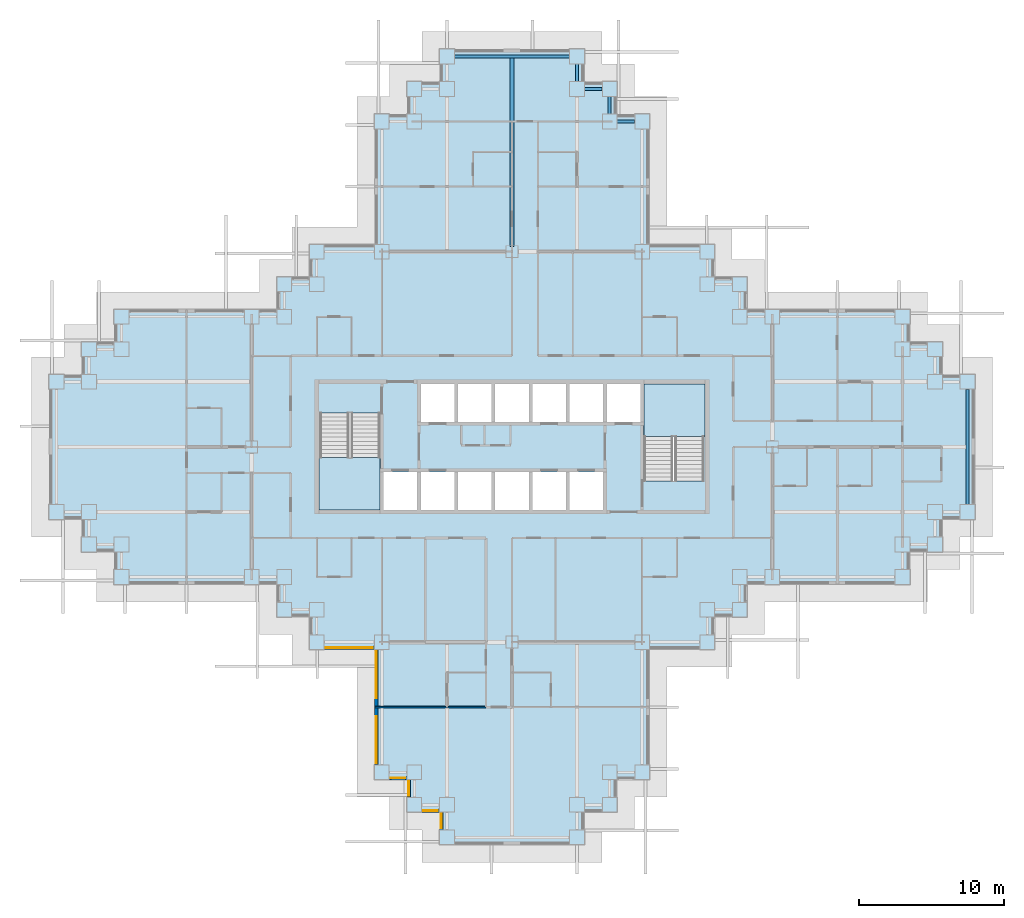
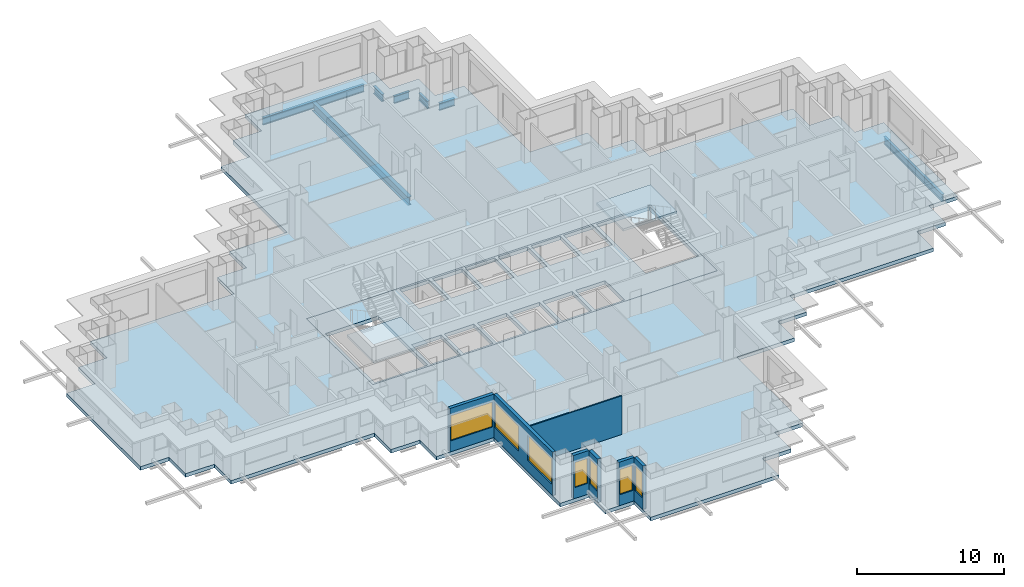
# One storey, part 2 of 15: 7 beams, 7 walls, 7 windows, 4 slabs, 7 openings, 2 elements without a shape of their own.
"""IFC4 building model written with IfcOpenShell, lengths in metres."""

from ifc_helpers import new_model, si_unit, direction, frame, frame_2d, origin, origin_2d, place, context, subcontext, project, spatial, polyline, rectangle, i_section, outline, extrude, material, layer, layer_set, material_profile, profile_set, type_object, element, fill, aggregate, save


model = new_model("IFC4")

# Units and contexts
model_context = context("Model", 3, precision=1e-05, world=origin(), true_north=direction((0.0, 1.0)))
body_context = subcontext(model_context, "Body", "Model", "MODEL_VIEW")
ifc_project = project(units=[si_unit("LENGTHUNIT", "METRE"), si_unit("AREAUNIT", "SQUARE_METRE"), si_unit("VOLUMEUNIT", "CUBIC_METRE"), si_unit("PLANEANGLEUNIT", "RADIAN"), si_unit("MASSUNIT", "GRAM", prefix="KILO")], contexts=[model_context])

# Site, building, storey
site_placement = place(None, origin())
site = spatial("IfcSite", under=ifc_project, at=site_placement, CompositionType="ELEMENT")
building_placement = place(site_placement, origin())
building = spatial("IfcBuilding", under=site, at=building_placement, Name="Caravel Reach Hotel and Residences", CompositionType="ELEMENT")
storey_placement = place(building_placement, frame((0.0, 0.0, 44.39990234375)))
storey = spatial("IfcBuildingStorey", under=building, at=storey_placement, Name="L09", CompositionType="ELEMENT", Elevation=44.39990234375)

# Beams
ifc_material_1 = material(Name="Structural steel Q355B", Category="steel")
ifc_material_profile_1 = material_profile(ifc_material_1, i_section(OverallWidth=0.300048828125, OverallDepth=0.699951171875, WebThickness=0.012939453125, FlangeThickness=0.02392578125, FilletRadius=0.01806640625, at=origin_2d()), Name="HN 700x300x13x24")
ifc_profile_set_1 = profile_set([ifc_material_profile_1], Name="Structural steel Q355B")
beam_type_1 = type_object("IfcBeamType", Name="Beam HN 700x300x13x24", PredefinedType="BEAM", material=ifc_profile_set_1)
beam_1_placement = place(storey_placement, frame((31.5, 40.875, -0.64990234375), z_axis=(0.0, 1.0, 0.0), x_axis=(-1.0, 0.0, 0.0)))
element("IfcBeam", 1, at=beam_1_placement, inside=storey, type_object=beam_type_1, Name="B2 HN 700x300x13x24", PredefinedType="BEAM", context=body_context, shape_type="SweptSolid", body=[
    extrude(i_section(OverallWidth=0.300048828125, OverallDepth=0.699951171875, WebThickness=0.012939453125, FlangeThickness=0.02392578125, FilletRadius=0.01806640625, at=origin_2d()), origin(), (0.0, 0.0, 1.0), 13.02490234375),
])
ifc_material_2 = material(Name="Structural steel Q355B", Category="steel")
ifc_material_profile_2 = material_profile(ifc_material_2, i_section(OverallWidth=0.199951171875, OverallDepth=0.60009765625, WebThickness=0.010986328125, FlangeThickness=0.01708984375, FilletRadius=0.012939453125, at=origin_2d()), Name="HN 600x200x11x17")
ifc_profile_set_2 = profile_set([ifc_material_profile_2], Name="Structural steel Q355B")
beam_type_2 = type_object("IfcBeamType", Name="Spandrel beam HN 600x200x11x17", PredefinedType="SPANDREL", material=ifc_profile_set_2)
beam_2_placement = place(storey_placement, frame((63.0, 23.02490234375, -0.599853515625), z_axis=(0.0, 1.0, 0.0), x_axis=(-1.0, 0.0, 0.0)))
element("IfcBeam", 2, at=beam_2_placement, inside=storey, type_object=beam_type_2, Name="SP1 HN 600x200x11x17", PredefinedType="SPANDREL", context=body_context, shape_type="SweptSolid", body=[
    extrude(i_section(OverallWidth=0.199951171875, OverallDepth=0.60009765625, WebThickness=0.010986328125, FlangeThickness=0.01708984375, FilletRadius=0.012939453125, at=origin_2d()), origin(), (0.0, 0.0, 1.0), 7.9501953125),
])
for number, where, z_axis, x_axis, name in (
    (3, (39.97509765625, 49.5, -0.599853515625), (-1.0, 0.0, 0.0), (0.0, -1.0, 0.0), "SP1 HN 600x200x11x17"),
    (4, (38.25, 50.02490234375, -0.599853515625), (0.0, 1.0, 0.0), (-1.0, 0.0, 0.0), "SP1 HN 600x200x11x17"),
    (5, (37.72509765625, 51.75, -0.599853515625), (-1.0, 0.0, 0.0), (0.0, -1.0, 0.0), "SP1 HN 600x200x11x17"),
    (6, (36.0, 52.27490234375, -0.599853515625), (0.0, 1.0, 0.0), (-1.0, 0.0, 0.0), "SP1 HN 600x200x11x17"),
):
    element("IfcBeam", number, at=place(storey_placement, frame(where, z_axis=z_axis, x_axis=x_axis)), inside=storey, type_object=beam_type_2, Name=name, PredefinedType="SPANDREL", context=body_context, shape_type="SweptSolid", body=[
        extrude(i_section(OverallWidth=0.199951171875, OverallDepth=0.60009765625, WebThickness=0.010986328125, FlangeThickness=0.01708984375, FilletRadius=0.012939453125, at=origin_2d()), origin(), (0.0, 0.0, 1.0), 1.2001953125),
    ])
beam_3_placement = place(storey_placement, frame((35.47509765625, 54.0, -0.599853515625), z_axis=(-1.0, 0.0, 0.0), x_axis=(0.0, -1.0, 0.0)))
element("IfcBeam", 7, at=beam_3_placement, inside=storey, type_object=beam_type_2, Name="SP1 HN 600x200x11x17", PredefinedType="SPANDREL", context=body_context, shape_type="SweptSolid", body=[
    extrude(i_section(OverallWidth=0.199951171875, OverallDepth=0.60009765625, WebThickness=0.010986328125, FlangeThickness=0.01708984375, FilletRadius=0.012939453125, at=origin_2d()), origin(), (0.0, 0.0, 1.0), 7.9501953125),
])

# Slab
ifc_material_3 = material(Name="Concrete C40", Category="concrete")
ifc_layer_1 = layer(ifc_material_3, 0.300048828125)
ifc_layer_set_1 = layer_set([ifc_layer_1], Name="Core floor slab 300 mm")
slab_type_1 = type_object("IfcSlabType", Name="Core floor slab 300 mm", PredefinedType="FLOOR", material=ifc_layer_set_1)
slab_1_placement = place(storey_placement, frame((0.0, 0.0, -0.2998046875)))
element("IfcSlab", 8, at=slab_1_placement, inside=storey, type_object=slab_type_1, Name="L09 core floor", PredefinedType="FLOOR", context=body_context, shape_type="SweptSolid", body=[
    extrude(outline(polyline([(18.0, 31.5), (45.0, 31.5), (45.0, 22.5), (18.0, 22.5), (18.0, 31.5)]), holes=[polyline([(22.625, 25.27490234375), (22.625, 22.64990234375), (24.9462890625, 22.64990234375), (24.9462890625, 25.27490234375), (22.625, 25.27490234375)]), polyline([(27.517822265625, 25.27490234375), (25.1962890625, 25.27490234375), (25.1962890625, 22.64990234375), (27.517822265625, 22.64990234375), (27.517822265625, 25.27490234375)]), polyline([(30.08935546875, 25.27490234375), (27.767822265625, 25.27490234375), (27.767822265625, 22.64990234375), (30.08935546875, 22.64990234375), (30.08935546875, 25.27490234375)]), polyline([(32.66064453125, 25.27490234375), (30.33935546875, 25.27490234375), (30.33935546875, 22.64990234375), (32.66064453125, 22.64990234375), (32.66064453125, 25.27490234375)]), polyline([(18.22509765625, 22.64990234375), (22.375, 22.64990234375), (22.375, 29.35009765625), (18.22509765625, 29.35009765625), (18.22509765625, 22.64990234375)]), polyline([(27.517822265625, 31.35009765625), (25.1962890625, 31.35009765625), (25.1962890625, 28.72509765625), (27.517822265625, 28.72509765625), (27.517822265625, 31.35009765625)]), polyline([(30.08935546875, 31.35009765625), (27.767822265625, 31.35009765625), (27.767822265625, 28.72509765625), (30.08935546875, 28.72509765625), (30.08935546875, 31.35009765625)]), polyline([(32.91064453125, 25.27490234375), (32.91064453125, 22.64990234375), (35.232177734375, 22.64990234375), (35.232177734375, 25.27490234375), (32.91064453125, 25.27490234375)]), polyline([(37.8037109375, 25.27490234375), (35.482177734375, 25.27490234375), (35.482177734375, 22.64990234375), (37.8037109375, 22.64990234375), (37.8037109375, 25.27490234375)]), polyline([(44.77490234375, 31.35009765625), (40.625, 31.35009765625), (40.625, 24.64990234375), (44.77490234375, 24.64990234375), (44.77490234375, 31.35009765625)]), polyline([(32.66064453125, 31.35009765625), (30.33935546875, 31.35009765625), (30.33935546875, 28.72509765625), (32.66064453125, 28.72509765625), (32.66064453125, 31.35009765625)]), polyline([(35.232177734375, 31.35009765625), (32.91064453125, 31.35009765625), (32.91064453125, 28.72509765625), (35.232177734375, 28.72509765625), (35.232177734375, 31.35009765625)]), polyline([(37.8037109375, 31.35009765625), (35.482177734375, 31.35009765625), (35.482177734375, 28.72509765625), (37.8037109375, 28.72509765625), (37.8037109375, 31.35009765625)]), polyline([(40.375, 31.35009765625), (38.0537109375, 31.35009765625), (38.0537109375, 28.72509765625), (40.375, 28.72509765625), (40.375, 31.35009765625)])]), origin(), (0.0, 0.0, 1.0), 0.2998046875),
])

# Stair, slab
ifc_material_4 = material(Name="Concrete C40", Category="concrete")
stair_type = type_object("IfcStairType", Name="Core stair", PredefinedType="HALF_TURN_STAIR", material=ifc_material_4)
stair_1_placement = place(storey_placement, origin())
stair_1 = element("IfcStair", 9, at=stair_1_placement, inside=storey, type_object=stair_type, Name="L09 Exit stair A", PredefinedType="HALF_TURN_STAIR")
ifc_material_5 = material(Name="Concrete C40", Category="concrete")
ifc_layer_2 = layer(ifc_material_5, 0.199951171875)
ifc_layer_set_2 = layer_set([ifc_layer_2], Name="Core stair landing")
slab_type_2 = type_object("IfcSlabType", Name="Core stair landing", PredefinedType="LANDING", material=ifc_layer_set_2)
slab_2_placement = place(storey_placement, frame((0.0, 0.0, 1.60009765625)))
slab_2 = element("IfcSlab", 10, at=slab_2_placement, type_object=slab_type_2, Name="ST-A landing 1", PredefinedType="LANDING", context=body_context, shape_type="SweptSolid", body=[
    extrude(outline(polyline([(18.14990234375, 26.27001953125), (18.14990234375, 22.64990234375), (22.375, 22.64990234375), (22.375, 26.27001953125), (18.14990234375, 26.27001953125)])), origin(), (0.0, 0.0, 1.0), 0.199951171875),
])
aggregate(stair_1, [slab_2])

stair_2_placement = place(storey_placement, origin())
stair_2 = element("IfcStair", 11, at=stair_2_placement, inside=storey, type_object=stair_type, Name="L09 Exit stair B", PredefinedType="HALF_TURN_STAIR")
slab_3_placement = place(storey_placement, frame((0.0, 0.0, 1.60009765625)))
slab_3 = element("IfcSlab", 12, at=slab_3_placement, type_object=slab_type_2, Name="ST-B landing 1", PredefinedType="LANDING", context=body_context, shape_type="SweptSolid", body=[
    extrude(outline(polyline([(44.85009765625, 27.72998046875), (44.85009765625, 31.35009765625), (40.625, 31.35009765625), (40.625, 27.72998046875), (44.85009765625, 27.72998046875)])), origin(), (0.0, 0.0, 1.0), 0.199951171875),
])
aggregate(stair_2, [slab_3])

# Slab
ifc_material_6 = material(Name="Concrete C40 post-tensioned", Category="concrete")
ifc_layer_3 = layer(ifc_material_6, 0.300048828125)
ifc_layer_set_3 = layer_set([ifc_layer_3], Name="Floor slab 300")
slab_type_3 = type_object("IfcSlabType", Name="Floor slab 300", PredefinedType="FLOOR", material=ifc_layer_set_3)
slab_4_placement = place(storey_placement, frame((0.0, 0.0, -0.2998046875)))
element("IfcSlab", 13, at=slab_4_placement, inside=storey, type_object=slab_type_3, Name="S2 slab L09", PredefinedType="FLOOR", context=body_context, shape_type="SweptSolid", body=[
    extrude(outline(polyline([(17.47509765625, 12.97509765625), (17.47509765625, 15.22509765625), (15.22509765625, 15.22509765625), (15.22509765625, 17.47509765625), (3.97509765625, 17.47509765625), (3.97509765625, 19.72509765625), (1.72509765625, 19.72509765625), (1.72509765625, 21.97509765625), (-0.52490234375, 21.97509765625), (-0.52490234375, 32.02490234375), (1.72509765625, 32.02490234375), (1.72509765625, 34.27490234375), (3.97509765625, 34.27490234375), (3.97509765625, 36.52490234375), (15.22509765625, 36.52490234375), (15.22509765625, 38.77490234375), (17.47509765625, 38.77490234375), (17.47509765625, 41.02490234375), (21.97509765625, 41.02490234375), (21.97509765625, 50.02490234375), (24.22509765625, 50.02490234375), (24.22509765625, 52.27490234375), (26.47509765625, 52.27490234375), (26.47509765625, 54.52490234375), (36.52490234375, 54.52490234375), (36.52490234375, 52.27490234375), (38.77490234375, 52.27490234375), (38.77490234375, 50.02490234375), (41.02490234375, 50.02490234375), (41.02490234375, 41.02490234375), (45.52490234375, 41.02490234375), (45.52490234375, 38.77490234375), (47.77490234375, 38.77490234375), (47.77490234375, 36.52490234375), (59.02490234375, 36.52490234375), (59.02490234375, 34.27490234375), (61.27490234375, 34.27490234375), (61.27490234375, 32.02490234375), (63.52490234375, 32.02490234375), (63.52490234375, 21.97509765625), (61.27490234375, 21.97509765625), (61.27490234375, 19.72509765625), (59.02490234375, 19.72509765625), (59.02490234375, 17.47509765625), (47.77490234375, 17.47509765625), (47.77490234375, 15.22509765625), (45.52490234375, 15.22509765625), (45.52490234375, 12.97509765625), (41.02490234375, 12.97509765625), (41.02490234375, 3.97509765625), (38.77490234375, 3.97509765625), (38.77490234375, 1.72509765625), (36.52490234375, 1.72509765625), (36.52490234375, -0.52490234375), (26.47509765625, -0.52490234375), (26.47509765625, 1.72509765625), (24.22509765625, 1.72509765625), (24.22509765625, 3.97509765625), (21.97509765625, 3.97509765625), (21.97509765625, 12.97509765625), (17.47509765625, 12.97509765625)]), holes=[polyline([(45.0, 31.5), (18.0, 31.5), (18.0, 22.5), (45.0, 22.5), (45.0, 31.5)])]), origin(), (0.0, 0.0, 1.0), 0.2998046875),
])

# Wall, opening, window
ifc_material_7 = material(Name="Insulated rainscreen wall, aluminium cladding", Category="aluminium")
ifc_layer_4 = layer(ifc_material_7, 0.25)
ifc_layer_set_4 = layer_set([ifc_layer_4], Name="EW1 Tower rainscreen wall")
wall_type_1 = type_object("IfcWallType", Name="EW1 Tower rainscreen wall", PredefinedType="SOLIDWALL", material=ifc_layer_set_4)
wall_1_placement = place(storey_placement, frame((23.02490234375, 4.10009765625, 0.0), z_axis=(0.0, 0.0, 1.0), x_axis=(1.0, 0.0, 0.0)))
wall_1 = element("IfcWall", 14, at=wall_1_placement, inside=storey, type_object=wall_type_1, Name="External wall L09 S1.1", PredefinedType="SOLIDWALL", context=body_context, shape_type="SweptSolid", body=[
    extrude(rectangle(XDim=1.2001953125, YDim=0.25, at=frame_2d((0.60009765625, 0.0))), origin(), (0.0, 0.0, 1.0), 3.60009765625),
])
opening_1_placement = place(wall_1_placement, frame((0.10009765625, 0.0, 0.89990234375)))
opening_1 = element("IfcOpeningElement", 15, at=opening_1_placement, cuts=wall_1, Name="Opening WN1", PredefinedType="OPENING", context=body_context, shape_type="SweptSolid", body=[
    extrude(rectangle(XDim=1.0, YDim=2.080078125, at=frame_2d((0.5, 1.0400390625))), frame((0.0, 0.135009765625, 0.0), z_axis=(0.0, -1.0, 0.0), x_axis=(1.0, 0.0, 0.0)), (0.0, 0.0, 1.0), 0.27001953125),
])
ifc_material_8 = material(Name="Dark low-e glazing in black aluminium frame", Category="aluminium")
window_type_1 = type_object("IfcWindowType", Name="Hotel suite corner window 1000 x 2080", PartitioningType="SINGLE_PANEL", PredefinedType="WINDOW", material=ifc_material_8)
window_1_placement = place(opening_1_placement, origin())
window_1 = element("IfcWindow", 16, at=window_1_placement, inside=storey, type_object=window_type_1, Name="Window L09 S1.1.1", OverallHeight=2.080078125, OverallWidth=1.0, PartitioningType="SINGLE_PANEL", PredefinedType="WINDOW", context=body_context, shape_type="SweptSolid", body=[
    extrude(rectangle(XDim=1.0, YDim=2.080078125, at=frame_2d((0.5, 1.0400390625))), frame((0.0, 0.030029296875, 0.0), z_axis=(0.0, -1.0, 0.0), x_axis=(1.0, 0.0, 0.0)), (0.0, 0.0, 1.0), 0.06005859375),
])
fill(opening_1, window_1)

wall_2_placement = place(storey_placement, frame((24.35009765625, 3.97509765625, 0.0), z_axis=(0.0, 0.0, 1.0), x_axis=(0.0, -1.0, 0.0)))
wall_2 = element("IfcWall", 17, at=wall_2_placement, inside=storey, type_object=wall_type_1, Name="External wall L09 W2.1", PredefinedType="SOLIDWALL", context=body_context, shape_type="SweptSolid", body=[
    extrude(rectangle(XDim=1.2001953125, YDim=0.25, at=frame_2d((0.60009765625, 0.0))), origin(), (0.0, 0.0, 1.0), 3.60009765625),
])
opening_2_placement = place(wall_2_placement, frame((0.10009765625, 0.0, 0.89990234375)))
opening_2 = element("IfcOpeningElement", 18, at=opening_2_placement, cuts=wall_2, Name="Opening WN1", PredefinedType="OPENING", context=body_context, shape_type="SweptSolid", body=[
    extrude(rectangle(XDim=1.0, YDim=2.080078125, at=frame_2d((0.5, 1.0400390625))), frame((0.0, 0.135009765625, 0.0), z_axis=(0.0, -1.0, 0.0), x_axis=(1.0, 0.0, 0.0)), (0.0, 0.0, 1.0), 0.27001953125),
])
window_2_placement = place(opening_2_placement, origin())
window_2 = element("IfcWindow", 19, at=window_2_placement, inside=storey, type_object=window_type_1, Name="Window L09 W2.1.1", OverallHeight=2.080078125, OverallWidth=1.0, PartitioningType="SINGLE_PANEL", PredefinedType="WINDOW", context=body_context, shape_type="SweptSolid", body=[
    extrude(rectangle(XDim=1.0, YDim=2.080078125, at=frame_2d((0.5, 1.0400390625))), frame((0.0, 0.030029296875, 0.0), z_axis=(0.0, -1.0, 0.0), x_axis=(1.0, 0.0, 0.0)), (0.0, 0.0, 1.0), 0.06005859375),
])
fill(opening_2, window_2)

wall_3_placement = place(storey_placement, frame((25.27490234375, 1.85009765625, 0.0), z_axis=(0.0, 0.0, 1.0), x_axis=(1.0, 0.0, 0.0)))
wall_3 = element("IfcWall", 20, at=wall_3_placement, inside=storey, type_object=wall_type_1, Name="External wall L09 S3.1", PredefinedType="SOLIDWALL", context=body_context, shape_type="SweptSolid", body=[
    extrude(rectangle(XDim=1.2001953125, YDim=0.25, at=frame_2d((0.60009765625, 0.0))), origin(), (0.0, 0.0, 1.0), 3.60009765625),
])
opening_3_placement = place(wall_3_placement, frame((0.10009765625, 0.0, 0.89990234375)))
opening_3 = element("IfcOpeningElement", 21, at=opening_3_placement, cuts=wall_3, Name="Opening WN1", PredefinedType="OPENING", context=body_context, shape_type="SweptSolid", body=[
    extrude(rectangle(XDim=1.0, YDim=2.080078125, at=frame_2d((0.5, 1.0400390625))), frame((0.0, 0.135009765625, 0.0), z_axis=(0.0, -1.0, 0.0), x_axis=(1.0, 0.0, 0.0)), (0.0, 0.0, 1.0), 0.27001953125),
])
window_3_placement = place(opening_3_placement, origin())
window_3 = element("IfcWindow", 22, at=window_3_placement, inside=storey, type_object=window_type_1, Name="Window L09 S3.1.1", OverallHeight=2.080078125, OverallWidth=1.0, PartitioningType="SINGLE_PANEL", PredefinedType="WINDOW", context=body_context, shape_type="SweptSolid", body=[
    extrude(rectangle(XDim=1.0, YDim=2.080078125, at=frame_2d((0.5, 1.0400390625))), frame((0.0, 0.030029296875, 0.0), z_axis=(0.0, -1.0, 0.0), x_axis=(1.0, 0.0, 0.0)), (0.0, 0.0, 1.0), 0.06005859375),
])
fill(opening_3, window_3)

wall_4_placement = place(storey_placement, frame((26.60009765625, 1.72509765625, 0.0), z_axis=(0.0, 0.0, 1.0), x_axis=(0.0, -1.0, 0.0)))
wall_4 = element("IfcWall", 23, at=wall_4_placement, inside=storey, type_object=wall_type_1, Name="External wall L09 W4.1", PredefinedType="SOLIDWALL", context=body_context, shape_type="SweptSolid", body=[
    extrude(rectangle(XDim=1.2001953125, YDim=0.25, at=frame_2d((0.60009765625, 0.0))), origin(), (0.0, 0.0, 1.0), 3.60009765625),
])
opening_4_placement = place(wall_4_placement, frame((0.10009765625, 0.0, 0.89990234375)))
opening_4 = element("IfcOpeningElement", 24, at=opening_4_placement, cuts=wall_4, Name="Opening WN1", PredefinedType="OPENING", context=body_context, shape_type="SweptSolid", body=[
    extrude(rectangle(XDim=1.0, YDim=2.080078125, at=frame_2d((0.5, 1.0400390625))), frame((0.0, 0.135009765625, 0.0), z_axis=(0.0, -1.0, 0.0), x_axis=(1.0, 0.0, 0.0)), (0.0, 0.0, 1.0), 0.27001953125),
])
window_4_placement = place(opening_4_placement, origin())
window_4 = element("IfcWindow", 25, at=window_4_placement, inside=storey, type_object=window_type_1, Name="Window L09 W4.1.1", OverallHeight=2.080078125, OverallWidth=1.0, PartitioningType="SINGLE_PANEL", PredefinedType="WINDOW", context=body_context, shape_type="SweptSolid", body=[
    extrude(rectangle(XDim=1.0, YDim=2.080078125, at=frame_2d((0.5, 1.0400390625))), frame((0.0, 0.030029296875, 0.0), z_axis=(0.0, -1.0, 0.0), x_axis=(1.0, 0.0, 0.0)), (0.0, 0.0, 1.0), 0.06005859375),
])
fill(opening_4, window_4)

wall_5_placement = place(storey_placement, frame((18.52490234375, 13.10009765625, 0.0), z_axis=(0.0, 0.0, 1.0), x_axis=(1.0, 0.0, 0.0)))
wall_5 = element("IfcWall", 26, at=wall_5_placement, inside=storey, type_object=wall_type_1, Name="External wall L09 S59.1", PredefinedType="SOLIDWALL", context=body_context, shape_type="SweptSolid", body=[
    extrude(rectangle(XDim=3.4501953125, YDim=0.25, at=frame_2d((1.72509765625, 0.0))), origin(), (0.0, 0.0, 1.0), 3.60009765625),
])
opening_5_placement = place(wall_5_placement, frame((0.10009765625, 0.0, 0.89990234375)))
opening_5 = element("IfcOpeningElement", 27, at=opening_5_placement, cuts=wall_5, Name="Opening WN2", PredefinedType="OPENING", context=body_context, shape_type="SweptSolid", body=[
    extrude(rectangle(XDim=3.25, YDim=2.080078125, at=frame_2d((1.625, 1.0400390625))), frame((0.0, 0.135009765625, 0.0), z_axis=(0.0, -1.0, 0.0), x_axis=(1.0, 0.0, 0.0)), (0.0, 0.0, 1.0), 0.27001953125),
])
ifc_material_9 = material(Name="Dark low-e glazing in black aluminium frame", Category="aluminium")
window_type_2 = type_object("IfcWindowType", Name="Hotel guest room window 3250 x 2080", PartitioningType="SINGLE_PANEL", PredefinedType="WINDOW", material=ifc_material_9)
window_5_placement = place(opening_5_placement, origin())
window_5 = element("IfcWindow", 28, at=window_5_placement, inside=storey, type_object=window_type_2, Name="Window L09 S59.1.1", OverallHeight=2.080078125, OverallWidth=3.25, PartitioningType="SINGLE_PANEL", PredefinedType="WINDOW", context=body_context, shape_type="SweptSolid", body=[
    extrude(rectangle(XDim=3.25, YDim=2.080078125, at=frame_2d((1.625, 1.0400390625))), frame((0.0, 0.030029296875, 0.0), z_axis=(0.0, -1.0, 0.0), x_axis=(1.0, 0.0, 0.0)), (0.0, 0.0, 1.0), 0.06005859375),
])
fill(opening_5, window_5)

# Wall, openings, windows
wall_6_placement = place(storey_placement, frame((22.10009765625, 12.97509765625, 0.0), z_axis=(0.0, 0.0, 1.0), x_axis=(0.0, -1.0, 0.0)))
wall_6 = element("IfcWall", 29, at=wall_6_placement, inside=storey, type_object=wall_type_1, Name="External wall L09 W60.1", PredefinedType="SOLIDWALL", context=body_context, shape_type="SweptSolid", body=[
    extrude(rectangle(XDim=7.9501953125, YDim=0.25, at=frame_2d((3.97509765625, 0.0))), origin(), (0.0, 0.0, 1.0), 3.60009765625),
])
opening_6_placement = place(wall_6_placement, frame((0.10009765625, 0.0, 0.89990234375)))
opening_6 = element("IfcOpeningElement", 30, at=opening_6_placement, cuts=wall_6, Name="Opening WN2", PredefinedType="OPENING", context=body_context, shape_type="SweptSolid", body=[
    extrude(rectangle(XDim=3.25, YDim=2.080078125, at=frame_2d((1.625, 1.0400390625))), frame((0.0, 0.135009765625, 0.0), z_axis=(0.0, -1.0, 0.0), x_axis=(1.0, 0.0, 0.0)), (0.0, 0.0, 1.0), 0.27001953125),
])
opening_7_placement = place(wall_6_placement, frame((4.60009765625, 0.0, 0.89990234375)))
opening_7 = element("IfcOpeningElement", 31, at=opening_7_placement, cuts=wall_6, Name="Opening WN2", PredefinedType="OPENING", context=body_context, shape_type="SweptSolid", body=[
    extrude(rectangle(XDim=3.25, YDim=2.080078125, at=frame_2d((1.625, 1.0400390625))), frame((0.0, 0.135009765625, 0.0), z_axis=(0.0, -1.0, 0.0), x_axis=(1.0, 0.0, 0.0)), (0.0, 0.0, 1.0), 0.27001953125),
])
window_6_placement = place(opening_6_placement, origin())
window_6 = element("IfcWindow", 32, at=window_6_placement, inside=storey, type_object=window_type_2, Name="Window L09 W60.1.1", OverallHeight=2.080078125, OverallWidth=3.25, PartitioningType="SINGLE_PANEL", PredefinedType="WINDOW", context=body_context, shape_type="SweptSolid", body=[
    extrude(rectangle(XDim=3.25, YDim=2.080078125, at=frame_2d((1.625, 1.0400390625))), frame((0.0, 0.030029296875, 0.0), z_axis=(0.0, -1.0, 0.0), x_axis=(1.0, 0.0, 0.0)), (0.0, 0.0, 1.0), 0.06005859375),
])
fill(opening_6, window_6)
window_7_placement = place(opening_7_placement, origin())
window_7 = element("IfcWindow", 33, at=window_7_placement, inside=storey, type_object=window_type_2, Name="Window L09 W60.1.2", OverallHeight=2.080078125, OverallWidth=3.25, PartitioningType="SINGLE_PANEL", PredefinedType="WINDOW", context=body_context, shape_type="SweptSolid", body=[
    extrude(rectangle(XDim=3.25, YDim=2.080078125, at=frame_2d((1.625, 1.0400390625))), frame((0.0, 0.030029296875, 0.0), z_axis=(0.0, -1.0, 0.0), x_axis=(1.0, 0.0, 0.0)), (0.0, 0.0, 1.0), 0.06005859375),
])
fill(opening_7, window_7)

# Wall
ifc_material_10 = material(Name="Gypsum board on steel stud", Category="steel")
ifc_layer_5 = layer(ifc_material_10, 0.10009765625)
ifc_layer_set_5 = layer_set([ifc_layer_5], Name="Partition 100 mm")
wall_type_2 = type_object("IfcWallType", Name="Partition 100 mm", PredefinedType="PARTITIONING", material=ifc_layer_set_5)
wall_7_placement = place(storey_placement, frame((22.034912109375, 9.0, 0.0), z_axis=(0.0, 0.0, 1.0), x_axis=(1.0, 0.0, 0.0)))
element("IfcWall", 34, at=wall_7_placement, inside=storey, type_object=wall_type_2, Name="L09 wall w053", PredefinedType="PARTITIONING", context=body_context, shape_type="SweptSolid", body=[
    extrude(rectangle(XDim=7.6650390625, YDim=0.10009765625, at=frame_2d((3.83251953125, 0.0))), origin(), (0.0, 0.0, 1.0), 3.2001953125),
])

save(model, "model.ifc")
